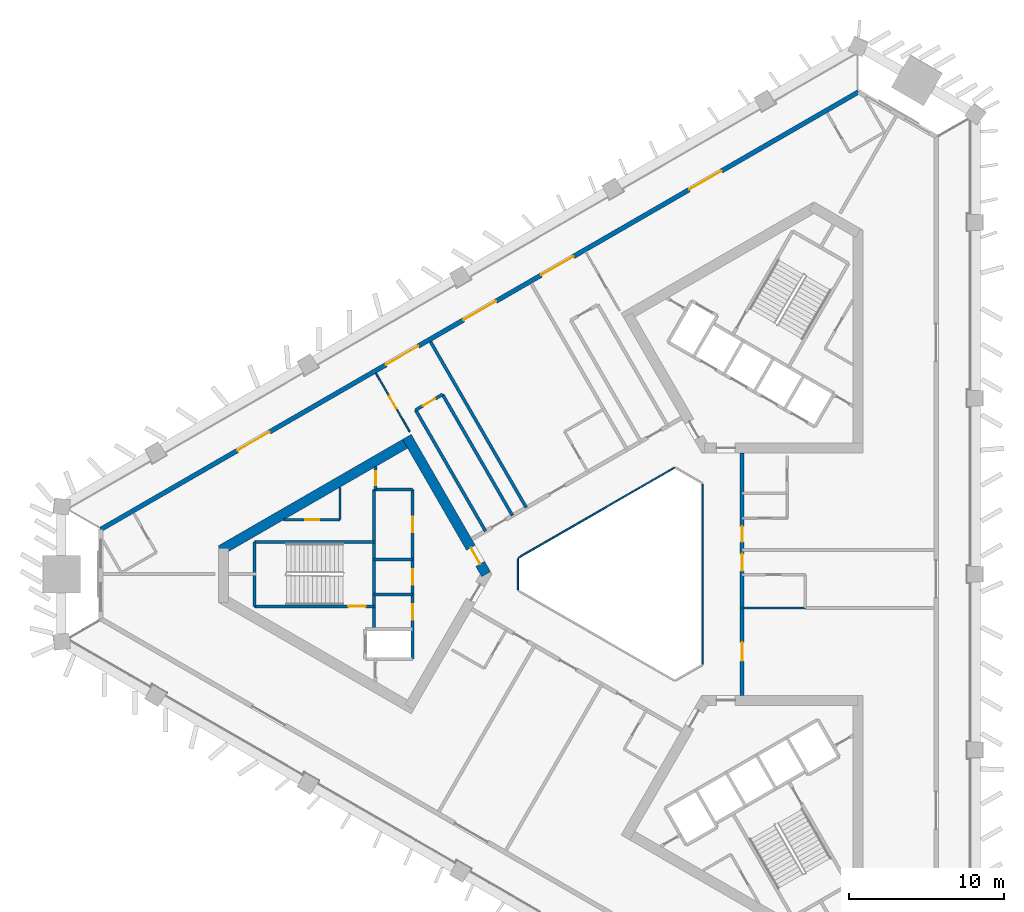
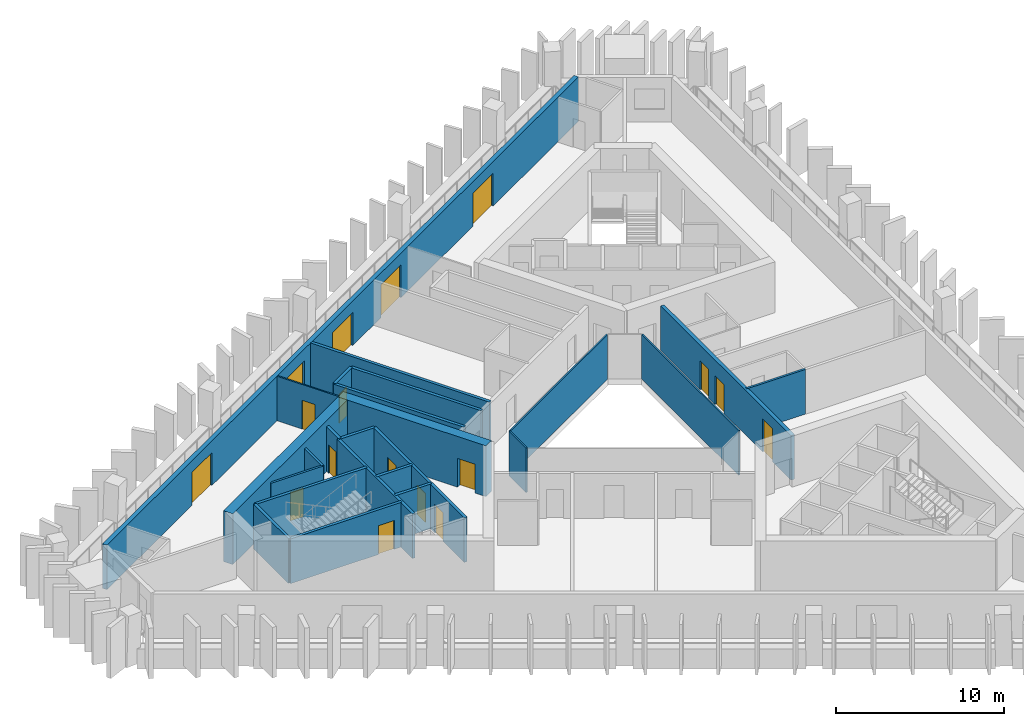
# One storey, part 4 of 10: 24 walls, 17 doors, 17 openings.
"""IFC4 building model written with IfcOpenShell, lengths in metres."""

from ifc_helpers import new_model, si_unit, direction, frame, frame_2d, origin, place, context, subcontext, project, spatial, rectangle, extrude, material, layer, layer_set, type_object, element, fill, save


model = new_model("IFC4")

# Units and contexts
model_context = context("Model", 3, precision=1e-05, world=origin(), true_north=direction((0.0, 1.0)))
body_context = subcontext(model_context, "Body", "Model", "MODEL_VIEW")
ifc_project = project(units=[si_unit("LENGTHUNIT", "METRE"), si_unit("AREAUNIT", "SQUARE_METRE"), si_unit("VOLUMEUNIT", "CUBIC_METRE"), si_unit("PLANEANGLEUNIT", "RADIAN"), si_unit("MASSUNIT", "GRAM", prefix="KILO")], contexts=[model_context])

# Site, building, storey
site_placement = place(None, origin())
site = spatial("IfcSite", under=ifc_project, at=site_placement, CompositionType="ELEMENT")
building_placement = place(site_placement, origin())
building = spatial("IfcBuilding", under=site, at=building_placement, Name="Jabali Bay Hotel Tower and Convention Centre", CompositionType="ELEMENT")
storey_placement = place(building_placement, frame((0.0, 0.0, 125.300048828125)))
storey = spatial("IfcBuildingStorey", under=building, at=storey_placement, Name="L30", CompositionType="ELEMENT", Elevation=125.300048828125)

# Walls
ifc_material_1 = material(Name="Fire-resistant glazing", Category="glass")
ifc_layer_1 = layer(ifc_material_1, 0.10009765625)
ifc_layer_set_1 = layer_set([ifc_layer_1], Name="Fire-resistant glazing")
wall_type_1 = type_object("IfcWallType", Name="Atrium glazed screen 100", PredefinedType="PARTITIONING", material=ifc_layer_set_1)
for number, where, z_axis, x_axis, name in (
    (1, (79.56005859375, 74.205810546875, 0.0), (0.0, 0.0, 1.0), (0.0, 1.0, 0.0), "Atrium screen 1 L30"),
    (2, (77.738037109375, 86.84619140625, 0.0), (0.0, 0.0, 1.0), (-0.866026658274, -0.499997827154, 0.0), "Atrium screen 3 L30"),
):
    element("IfcWall", number, at=place(storey_placement, frame(where, z_axis=z_axis, x_axis=x_axis)), inside=storey, type_object=wall_type_1, Name=name, PredefinedType="PARTITIONING", context=body_context, shape_type="SweptSolid", body=[
        extrude(rectangle(XDim=11.58837890625, YDim=0.10009765625, at=frame_2d((5.794189453125, 0.0))), origin(), (0.0, 0.0, 1.0), 3.25),
    ])
wall_1_placement = place(storey_placement, frame((67.672119140625, 81.0, 0.0), z_axis=(0.0, 0.0, 1.0), x_axis=(0.0, -1.0, 0.0)))
element("IfcWall", 3, at=wall_1_placement, inside=storey, type_object=wall_type_1, Name="Atrium screen 4 L30", PredefinedType="PARTITIONING", context=body_context, shape_type="SweptSolid", body=[
    extrude(rectangle(XDim=2.0, YDim=0.10009765625, at=frame_2d((1.0, 0.0))), origin(), (0.0, 0.0, 1.0), 3.25),
])

# Wall, opening, door
ifc_material_2 = material(Name="Concrete C40", Category="concrete")
ifc_layer_2 = layer(ifc_material_2, 0.199951171875)
ifc_layer_set_2 = layer_set([ifc_layer_2], Name="Concrete C40")
wall_type_2 = type_object("IfcWallType", Name="Core partition wall 200", PredefinedType="PARTITIONING", material=ifc_layer_set_2)
wall_2_placement = place(storey_placement, frame((58.52001953125, 86.916748046875, 0.0), z_axis=(0.0, 0.0, 1.0), x_axis=(0.0, -1.0, 0.0)))
wall_2 = element("IfcWall", 4, at=wall_2_placement, inside=storey, type_object=wall_type_2, Name="Core wall 0.10 L30", PredefinedType="PARTITIONING", context=body_context, shape_type="SweptSolid", body=[
    extrude(rectangle(XDim=1.466796875, YDim=0.199951171875, at=frame_2d((0.7333984375, 0.0))), origin(), (0.0, 0.0, 1.0), 3.25),
])
opening_1_placement = place(wall_2_placement, frame((0.283447265625, 0.0, 0.0)))
opening_1 = element("IfcOpeningElement", 5, at=opening_1_placement, cuts=wall_2, Name="Opening D665", PredefinedType="OPENING", context=body_context, shape_type="SweptSolid", body=[
    extrude(rectangle(XDim=0.89990234375, YDim=2.10009765625, at=frame_2d((0.449951171875, 1.050048828125))), frame((0.0, 0.1103515625, 0.0), z_axis=(0.0, -1.0, 0.0), x_axis=(1.0, 0.0, 0.0)), (0.0, 0.0, 1.0), 0.220947265625),
])
ifc_material_3 = material(Name="Fire-rated steel door", Category="steel")
door_type_1 = type_object("IfcDoorType", Name="Vestibule fire door 900 x 2100", OperationType="NOTDEFINED", PredefinedType="NOTDEFINED", material=ifc_material_3)
door_1_placement = place(opening_1_placement, origin())
door_1 = element("IfcDoor", 6, at=door_1_placement, inside=storey, type_object=door_type_1, Name="Vestibule fire door D665", OperationType="SINGLE_SWING_LEFT", OverallHeight=2.10009765625, OverallWidth=0.89990234375, PredefinedType="NOTDEFINED", context=body_context, shape_type="SweptSolid", body=[
    extrude(rectangle(XDim=0.89990234375, YDim=2.10009765625, at=frame_2d((0.449951171875, 1.050048828125))), frame((0.0, 0.02490234375, 0.0), z_axis=(0.0, -1.0, 0.0), x_axis=(1.0, 0.0, 0.0)), (0.0, 0.0, 1.0), 0.050048828125),
])
fill(opening_1, door_1)

ifc_material_4 = material(Name="Fire-rated board partition")
ifc_layer_3 = layer(ifc_material_4, 0.14990234375)
ifc_layer_set_3 = layer_set([ifc_layer_3], Name="Fire-rated board partition")
wall_type_3 = type_object("IfcWallType", Name="Core room partition 150", PredefinedType="PARTITIONING", material=ifc_layer_set_3)
wall_3_placement = place(storey_placement, frame((56.219970703125, 83.5, 0.0), z_axis=(0.0, 0.0, 1.0), x_axis=(-1.0, 0.0, 0.0)))
wall_3 = element("IfcWall", 7, at=wall_3_placement, inside=storey, type_object=wall_type_3, Name="Core wall 0.1 L30", PredefinedType="PARTITIONING", context=body_context, shape_type="SweptSolid", body=[
    extrude(rectangle(XDim=3.61767578125, YDim=0.14990234375, at=frame_2d((1.808837890625, 0.0))), origin(), (0.0, 0.0, 1.0), 3.25),
])
opening_2_placement = place(wall_3_placement, frame((1.33154296875, 0.0, 0.0)))
opening_2 = element("IfcOpeningElement", 8, at=opening_2_placement, cuts=wall_3, Name="Opening D667", PredefinedType="OPENING", context=body_context, shape_type="SweptSolid", body=[
    extrude(rectangle(XDim=0.89990234375, YDim=2.10009765625, at=frame_2d((0.449951171875, 1.050048828125))), frame((0.0, 0.08544921875, 0.0), z_axis=(0.0, -1.0, 0.0), x_axis=(1.0, 0.0, 0.0)), (0.0, 0.0, 1.0), 0.1708984375),
])
door_type_2 = type_object("IfcDoorType", Name="Core room door 900 x 2100", OperationType="NOTDEFINED", PredefinedType="NOTDEFINED", material=ifc_material_3)
door_2_placement = place(opening_2_placement, origin())
door_2 = element("IfcDoor", 9, at=door_2_placement, inside=storey, type_object=door_type_2, Name="Core room door D667", OperationType="SINGLE_SWING_LEFT", OverallHeight=2.10009765625, OverallWidth=0.89990234375, PredefinedType="NOTDEFINED", context=body_context, shape_type="SweptSolid", body=[
    extrude(rectangle(XDim=0.89990234375, YDim=2.10009765625, at=frame_2d((0.449951171875, 1.050048828125))), frame((0.0, 0.02490234375, 0.0), z_axis=(0.0, -1.0, 0.0), x_axis=(1.0, 0.0, 0.0)), (0.0, 0.0, 1.0), 0.050048828125),
])
fill(opening_2, door_2)

# Walls
wall_4_placement = place(storey_placement, frame((56.219970703125, 85.5888671875, 0.0), z_axis=(0.0, 0.0, 1.0), x_axis=(0.0, -1.0, 0.0)))
element("IfcWall", 10, at=wall_4_placement, inside=storey, type_object=wall_type_3, Name="Core wall 0.14 L30", PredefinedType="PARTITIONING", context=body_context, shape_type="SweptSolid", body=[
    extrude(rectangle(XDim=2.0888671875, YDim=0.14990234375, at=frame_2d((1.04443359375, 0.0))), origin(), (0.0, 0.0, 1.0), 3.25),
])
ifc_layer_4 = layer(ifc_material_2, 0.199951171875)
ifc_layer_set_4 = layer_set([ifc_layer_4], Name="Concrete C40")
wall_type_4 = type_object("IfcWallType", Name="Core stair wall 200", PredefinedType="SOLIDWALL", material=ifc_layer_set_4)
wall_5_placement = place(storey_placement, frame((60.89990234375, 85.449951171875, 0.0), z_axis=(0.0, 0.0, 1.0), x_axis=(-1.0, 0.0, 0.0)))
element("IfcWall", 11, at=wall_5_placement, inside=storey, type_object=wall_type_4, Name="Core wall 0.0 L30", PredefinedType="SOLIDWALL", context=body_context, shape_type="SweptSolid", body=[
    extrude(rectangle(XDim=2.47998046875, YDim=0.199951171875, at=frame_2d((1.239990234375, 0.0))), origin(), (0.0, 0.0, 1.0), 3.25),
])
wall_6_placement = place(storey_placement, frame((58.419921875, 82.074951171875, 0.0), z_axis=(0.0, 0.0, 1.0), x_axis=(-1.0, 0.0, 0.0)))
element("IfcWall", 12, at=wall_6_placement, inside=storey, type_object=wall_type_4, Name="Core wall 0.2 L30", PredefinedType="SOLIDWALL", context=body_context, shape_type="SweptSolid", body=[
    extrude(rectangle(XDim=7.699951171875, YDim=0.199951171875, at=frame_2d((3.85009765625, 0.0))), origin(), (0.0, 0.0, 1.0), 3.25),
])
for number, where, z_axis, x_axis, name in (
    (13, (60.89990234375, 80.949951171875, 0.0), (0.0, 0.0, 1.0), (-1.0, 0.0, 0.0), "Core wall 0.3 L30"),
    (14, (60.89990234375, 78.699951171875, 0.0), (0.0, 0.0, 1.0), (-1.0, 0.0, 0.0), "Core wall 0.5 L30"),
):
    element("IfcWall", number, at=place(storey_placement, frame(where, z_axis=z_axis, x_axis=x_axis)), inside=storey, type_object=wall_type_4, Name=name, PredefinedType="SOLIDWALL", context=body_context, shape_type="SweptSolid", body=[
        extrude(rectangle(XDim=2.47998046875, YDim=0.199951171875, at=frame_2d((1.239990234375, 0.0))), origin(), (0.0, 0.0, 1.0), 3.25),
    ])

# Wall, opening, door
wall_7_placement = place(storey_placement, frame((58.419921875, 77.925048828125, 0.0), z_axis=(0.0, 0.0, 1.0), x_axis=(-1.0, 0.0, 0.0)))
wall_7 = element("IfcWall", 15, at=wall_7_placement, inside=storey, type_object=wall_type_4, Name="Core wall 0.6 L30", PredefinedType="SOLIDWALL", context=body_context, shape_type="SweptSolid", body=[
    extrude(rectangle(XDim=7.699951171875, YDim=0.199951171875, at=frame_2d((3.85009765625, 0.0))), origin(), (0.0, 0.0, 1.0), 3.25),
])
opening_3_placement = place(wall_7_placement, frame((0.550048828125, 0.0, 0.0)))
opening_3 = element("IfcOpeningElement", 16, at=opening_3_placement, cuts=wall_7, Name="Opening D666", PredefinedType="OPENING", context=body_context, shape_type="SweptSolid", body=[
    extrude(rectangle(XDim=1.10009765625, YDim=2.10009765625, at=frame_2d((0.550048828125, 1.050048828125))), frame((0.0, 0.1103515625, 0.0), z_axis=(0.0, -1.0, 0.0), x_axis=(1.0, 0.0, 0.0)), (0.0, 0.0, 1.0), 0.220947265625),
])
door_type_3 = type_object("IfcDoorType", Name="Stair fire door 1100 x 2100", OperationType="NOTDEFINED", PredefinedType="NOTDEFINED", material=ifc_material_3)
door_3_placement = place(opening_3_placement, origin())
door_3 = element("IfcDoor", 17, at=door_3_placement, inside=storey, type_object=door_type_3, Name="Stair fire door D666", OperationType="SINGLE_SWING_RIGHT", OverallHeight=2.10009765625, OverallWidth=1.10009765625, PredefinedType="NOTDEFINED", context=body_context, shape_type="SweptSolid", body=[
    extrude(rectangle(XDim=1.10009765625, YDim=2.10009765625, at=frame_2d((0.550048828125, 1.050048828125))), frame((0.0, 0.02490234375, 0.0), z_axis=(0.0, -1.0, 0.0), x_axis=(1.0, 0.0, 0.0)), (0.0, 0.0, 1.0), 0.050048828125),
])
fill(opening_3, door_3)

# Wall, openings, doors
wall_8_placement = place(storey_placement, frame((60.89990234375, 85.449951171875, 0.0), z_axis=(0.0, 0.0, 1.0), x_axis=(0.0, -1.0, 0.0)))
wall_8 = element("IfcWall", 18, at=wall_8_placement, inside=storey, type_object=wall_type_4, Name="Core wall 0.9 L30", PredefinedType="SOLIDWALL", context=body_context, shape_type="SweptSolid", body=[
    extrude(rectangle(XDim=10.89990234375, YDim=0.199951171875, at=frame_2d((5.449951171875, 0.0))), origin(), (0.0, 0.0, 1.0), 3.25),
])
opening_4_placement = place(wall_8_placement, frame((1.75, 0.0, 0.0)))
opening_4 = element("IfcOpeningElement", 19, at=opening_4_placement, cuts=wall_8, Name="Opening D661", PredefinedType="OPENING", context=body_context, shape_type="SweptSolid", body=[
    extrude(rectangle(XDim=1.0, YDim=2.10009765625, at=frame_2d((0.5, 1.050048828125))), frame((0.0, 0.1103515625, 0.0), z_axis=(0.0, -1.0, 0.0), x_axis=(1.0, 0.0, 0.0)), (0.0, 0.0, 1.0), 0.220947265625),
])
opening_5_placement = place(wall_8_placement, frame((5.125, 0.0, 0.0)))
opening_5 = element("IfcOpeningElement", 20, at=opening_5_placement, cuts=wall_8, Name="Opening D662", PredefinedType="OPENING", context=body_context, shape_type="SweptSolid", body=[
    extrude(rectangle(XDim=1.0, YDim=2.10009765625, at=frame_2d((0.5, 1.050048828125))), frame((0.0, 0.1103515625, 0.0), z_axis=(0.0, -1.0, 0.0), x_axis=(1.0, 0.0, 0.0)), (0.0, 0.0, 1.0), 0.220947265625),
])
opening_6_placement = place(wall_8_placement, frame((7.375, 0.0, 0.0)))
opening_6 = element("IfcOpeningElement", 21, at=opening_6_placement, cuts=wall_8, Name="Opening D663", PredefinedType="OPENING", context=body_context, shape_type="SweptSolid", body=[
    extrude(rectangle(XDim=1.0, YDim=2.10009765625, at=frame_2d((0.5, 1.050048828125))), frame((0.0, 0.1103515625, 0.0), z_axis=(0.0, -1.0, 0.0), x_axis=(1.0, 0.0, 0.0)), (0.0, 0.0, 1.0), 0.220947265625),
])
door_type_4 = type_object("IfcDoorType", Name="Core room door 1000 x 2100", OperationType="NOTDEFINED", PredefinedType="NOTDEFINED", material=ifc_material_3)
door_4_placement = place(opening_4_placement, origin())
door_4 = element("IfcDoor", 22, at=door_4_placement, inside=storey, type_object=door_type_4, Name="Core room door D661", OperationType="SINGLE_SWING_RIGHT", OverallHeight=2.10009765625, OverallWidth=1.0, PredefinedType="NOTDEFINED", context=body_context, shape_type="SweptSolid", body=[
    extrude(rectangle(XDim=1.0, YDim=2.10009765625, at=frame_2d((0.5, 1.050048828125))), frame((0.0, 0.02490234375, 0.0), z_axis=(0.0, -1.0, 0.0), x_axis=(1.0, 0.0, 0.0)), (0.0, 0.0, 1.0), 0.050048828125),
])
fill(opening_4, door_4)
door_5_placement = place(opening_5_placement, origin())
door_5 = element("IfcDoor", 23, at=door_5_placement, inside=storey, type_object=door_type_4, Name="Core room door D662", OperationType="SINGLE_SWING_RIGHT", OverallHeight=2.10009765625, OverallWidth=1.0, PredefinedType="NOTDEFINED", context=body_context, shape_type="SweptSolid", body=[
    extrude(rectangle(XDim=1.0, YDim=2.10009765625, at=frame_2d((0.5, 1.050048828125))), frame((0.0, 0.02490234375, 0.0), z_axis=(0.0, -1.0, 0.0), x_axis=(1.0, 0.0, 0.0)), (0.0, 0.0, 1.0), 0.050048828125),
])
fill(opening_5, door_5)
door_6_placement = place(opening_6_placement, origin())
door_6 = element("IfcDoor", 24, at=door_6_placement, inside=storey, type_object=door_type_4, Name="Core room door D663", OperationType="SINGLE_SWING_RIGHT", OverallHeight=2.10009765625, OverallWidth=1.0, PredefinedType="NOTDEFINED", context=body_context, shape_type="SweptSolid", body=[
    extrude(rectangle(XDim=1.0, YDim=2.10009765625, at=frame_2d((0.5, 1.050048828125))), frame((0.0, 0.02490234375, 0.0), z_axis=(0.0, -1.0, 0.0), x_axis=(1.0, 0.0, 0.0)), (0.0, 0.0, 1.0), 0.050048828125),
])
fill(opening_6, door_6)

# Walls
wall_9_placement = place(storey_placement, frame((58.419921875, 85.449951171875, 0.0), z_axis=(0.0, 0.0, 1.0), x_axis=(0.0, -1.0, 0.0)))
element("IfcWall", 25, at=wall_9_placement, inside=storey, type_object=wall_type_4, Name="Core wall 0.12 L30", PredefinedType="SOLIDWALL", context=body_context, shape_type="SweptSolid", body=[
    extrude(rectangle(XDim=9.0, YDim=0.199951171875, at=frame_2d((4.5, 0.0))), origin(), (0.0, 0.0, 1.0), 3.25),
])
wall_10_placement = place(storey_placement, frame((50.719970703125, 82.074951171875, 0.0), z_axis=(0.0, 0.0, 1.0), x_axis=(0.0, -1.0, 0.0)))
element("IfcWall", 26, at=wall_10_placement, inside=storey, type_object=wall_type_4, Name="Core wall 0.15 L30", PredefinedType="SOLIDWALL", context=body_context, shape_type="SweptSolid", body=[
    extrude(rectangle(XDim=4.14990234375, YDim=0.199951171875, at=frame_2d((2.074951171875, 0.0))), origin(), (0.0, 0.0, 1.0), 3.25),
])

# Wall, opening, door
ifc_material_5 = material(Name="Concrete C60", Category="concrete")
ifc_layer_5 = layer(ifc_material_5, 0.64990234375)
ifc_layer_set_5 = layer_set([ifc_layer_5], Name="Concrete C60")
wall_type_5 = type_object("IfcWallType", Name="Core wall 650", PredefinedType="SHEAR", material=ifc_layer_set_5)
wall_11_placement = place(storey_placement, frame((65.624755859375, 80.0, 0.0), z_axis=(0.0, 0.0, 1.0), x_axis=(-0.49999822179, 0.866026430432, 0.0)))
wall_11 = element("IfcWall", 27, at=wall_11_placement, inside=storey, type_object=wall_type_5, Name="Core wall 1.1 L30", PredefinedType="SHEAR", context=body_context, shape_type="SweptSolid", body=[
    extrude(rectangle(XDim=10.1923828125, YDim=0.64990234375, at=frame_2d((5.09619140625, 0.0))), origin(), (0.0, 0.0, 1.0), 3.699951171875),
])
opening_7_placement = place(wall_11_placement, frame((0.762451171875, 0.0, 0.0)))
opening_7 = element("IfcOpeningElement", 28, at=opening_7_placement, cuts=wall_11, Name="Opening D659", PredefinedType="OPENING", context=body_context, shape_type="SweptSolid", body=[
    extrude(rectangle(XDim=1.199951171875, YDim=2.10009765625, at=frame_2d((0.60009765625, 1.050048828125))), frame((0.0, 0.33544921875, 0.0), z_axis=(0.0, -1.0, 0.0), x_axis=(1.0, 0.0, 0.0)), (0.0, 0.0, 1.0), 0.6708984375),
])
door_type_5 = type_object("IfcDoorType", Name="Corridor end fire door 1200 x 2100", OperationType="NOTDEFINED", PredefinedType="NOTDEFINED", material=ifc_material_3)
door_7_placement = place(opening_7_placement, origin())
door_7 = element("IfcDoor", 29, at=door_7_placement, inside=storey, type_object=door_type_5, Name="Corridor end fire door D659", OperationType="SINGLE_SWING_RIGHT", OverallHeight=2.10009765625, OverallWidth=1.199951171875, PredefinedType="NOTDEFINED", context=body_context, shape_type="SweptSolid", body=[
    extrude(rectangle(XDim=1.199951171875, YDim=2.10009765625, at=frame_2d((0.60009765625, 1.050048828125))), frame((0.0, 0.02490234375, 0.0), z_axis=(0.0, -1.0, 0.0), x_axis=(1.0, 0.0, 0.0)), (0.0, 0.0, 1.0), 0.050048828125),
])
fill(opening_7, door_7)

# Wall
wall_12_placement = place(storey_placement, frame((60.691162109375, 88.54541015625, 0.0), z_axis=(0.0, 0.0, 1.0), x_axis=(-0.866030607649, -0.499990986534, 0.0)))
element("IfcWall", 30, at=wall_12_placement, inside=storey, type_object=wall_type_5, Name="Core wall 1.2 L30", PredefinedType="SHEAR", context=body_context, shape_type="SweptSolid", body=[
    extrude(rectangle(XDim=14.008544921875, YDim=0.64990234375, at=frame_2d((7.00439453125, 0.0))), origin(), (0.0, 0.0, 1.0), 3.699951171875),
])

# Wall, openings, doors
ifc_layer_6 = layer(ifc_material_5, 0.25)
ifc_layer_set_6 = layer_set([ifc_layer_6], Name="Concrete C60")
wall_type_6 = type_object("IfcWallType", Name="Corridor wall 250", PredefinedType="SHEAR", material=ifc_layer_set_6)
wall_13_placement = place(storey_placement, frame((82.10009765625, 72.205810546875, 0.0), z_axis=(0.0, 0.0, 1.0), x_axis=(0.0, 1.0, 0.0)))
wall_13 = element("IfcWall", 31, at=wall_13_placement, inside=storey, type_object=wall_type_6, Name="Corridor wall 1 L30", PredefinedType="SHEAR", context=body_context, shape_type="SweptSolid", body=[
    extrude(rectangle(XDim=15.58837890625, YDim=0.25, at=frame_2d((7.794189453125, 0.0))), origin(), (0.0, 0.0, 1.0), 3.25),
])
opening_8_placement = place(wall_13_placement, frame((2.205810546875, 0.0, 0.0)))
opening_8 = element("IfcOpeningElement", 32, at=opening_8_placement, cuts=wall_13, Name="Opening 3001", PredefinedType="OPENING", context=body_context, shape_type="SweptSolid", body=[
    extrude(rectangle(XDim=1.199951171875, YDim=2.39990234375, at=frame_2d((0.60009765625, 1.199951171875))), frame((0.0, 0.135498046875, 0.0), z_axis=(0.0, -1.0, 0.0), x_axis=(1.0, 0.0, 0.0)), (0.0, 0.0, 1.0), 0.27099609375),
])
opening_9_placement = place(wall_13_placement, frame((8.003173828125, 0.0, 0.0)))
opening_9 = element("IfcOpeningElement", 33, at=opening_9_placement, cuts=wall_13, Name="Opening 3003", PredefinedType="OPENING", context=body_context, shape_type="SweptSolid", body=[
    extrude(rectangle(XDim=1.10009765625, YDim=2.10009765625, at=frame_2d((0.550048828125, 1.050048828125))), frame((0.0, 0.135498046875, 0.0), z_axis=(0.0, -1.0, 0.0), x_axis=(1.0, 0.0, 0.0)), (0.0, 0.0, 1.0), 0.27099609375),
])
opening_10_placement = place(wall_13_placement, frame((9.870849609375, 0.0, 0.0)))
opening_10 = element("IfcOpeningElement", 34, at=opening_10_placement, cuts=wall_13, Name="Opening 3006", PredefinedType="OPENING", context=body_context, shape_type="SweptSolid", body=[
    extrude(rectangle(XDim=1.0, YDim=2.10009765625, at=frame_2d((0.5, 1.050048828125))), frame((0.0, 0.135498046875, 0.0), z_axis=(0.0, -1.0, 0.0), x_axis=(1.0, 0.0, 0.0)), (0.0, 0.0, 1.0), 0.27099609375),
])
ifc_material_6 = material(Name="Timber", Category="wood")
door_type_6 = type_object("IfcDoorType", Name="Accessible guest room door 1100 x 2100", OperationType="NOTDEFINED", PredefinedType="NOTDEFINED", material=ifc_material_6)
door_8_placement = place(opening_9_placement, origin())
door_8 = element("IfcDoor", 35, at=door_8_placement, inside=storey, type_object=door_type_6, Name="Door 3003", OperationType="SINGLE_SWING_RIGHT", OverallHeight=2.10009765625, OverallWidth=1.10009765625, PredefinedType="NOTDEFINED", context=body_context, shape_type="SweptSolid", body=[
    extrude(rectangle(XDim=1.10009765625, YDim=2.10009765625, at=frame_2d((0.550048828125, 1.050048828125))), frame((0.0, 0.02490234375, 0.0), z_axis=(0.0, -1.0, 0.0), x_axis=(1.0, 0.0, 0.0)), (0.0, 0.0, 1.0), 0.050048828125),
])
fill(opening_9, door_8)
door_type_7 = type_object("IfcDoorType", Name="Guest room door 1000 x 2100", OperationType="NOTDEFINED", PredefinedType="NOTDEFINED", material=ifc_material_6)
door_9_placement = place(opening_10_placement, origin())
door_9 = element("IfcDoor", 36, at=door_9_placement, inside=storey, type_object=door_type_7, Name="Door 3006", OperationType="SINGLE_SWING_RIGHT", OverallHeight=2.10009765625, OverallWidth=1.0, PredefinedType="NOTDEFINED", context=body_context, shape_type="SweptSolid", body=[
    extrude(rectangle(XDim=1.0, YDim=2.10009765625, at=frame_2d((0.5, 1.050048828125))), frame((0.0, 0.02490234375, 0.0), z_axis=(0.0, -1.0, 0.0), x_axis=(1.0, 0.0, 0.0)), (0.0, 0.0, 1.0), 0.050048828125),
])
fill(opening_10, door_9)
door_type_8 = type_object("IfcDoorType", Name="Public room door 1200 x 2400", OperationType="NOTDEFINED", PredefinedType="NOTDEFINED", material=ifc_material_6)
door_10_placement = place(opening_8_placement, origin())
door_10 = element("IfcDoor", 37, at=door_10_placement, inside=storey, type_object=door_type_8, Name="Door 3001", OperationType="SINGLE_SWING_LEFT", OverallHeight=2.39990234375, OverallWidth=1.199951171875, PredefinedType="NOTDEFINED", context=body_context, shape_type="SweptSolid", body=[
    extrude(rectangle(XDim=1.199951171875, YDim=2.39990234375, at=frame_2d((0.60009765625, 1.199951171875))), frame((0.0, 0.02490234375, 0.0), z_axis=(0.0, -1.0, 0.0), x_axis=(1.0, 0.0, 0.0)), (0.0, 0.0, 1.0), 0.050048828125),
])
fill(opening_8, door_10)

ifc_layer_7 = layer(ifc_material_2, 0.300048828125)
ifc_layer_set_7 = layer_set([ifc_layer_7], Name="Concrete C40")
wall_type_7 = type_object("IfcWallType", Name="External wall 300", PredefinedType="SOLIDWALL", material=ifc_layer_set_7)
wall_14_placement = place(storey_placement, frame((40.836181640625, 82.8798828125, 0.0), z_axis=(0.0, 0.0, 1.0), x_axis=(0.866024964069, 0.500000761609, 0.0)))
wall_14 = element("IfcWall", 38, at=wall_14_placement, inside=storey, type_object=wall_type_7, Name="External wall north-west face L30", PredefinedType="SOLIDWALL", context=body_context, shape_type="SweptSolid", body=[
    extrude(rectangle(XDim=56.29345703125, YDim=0.300048828125, at=frame_2d((28.146728515625, 0.0))), origin(), (0.0, 0.0, 1.0), 3.25),
])
opening_11_placement = place(wall_14_placement, frame((26.94677734375, 0.0, 0.0)))
opening_11 = element("IfcOpeningElement", 39, at=opening_11_placement, cuts=wall_14, Name="Opening SD1", PredefinedType="OPENING", context=body_context, shape_type="SweptSolid", body=[
    extrude(rectangle(XDim=2.39990234375, YDim=2.39990234375, at=frame_2d((1.199951171875, 1.199951171875))), frame((0.0, 0.16064453125, 0.0), z_axis=(0.0, -1.0, 0.0), x_axis=(1.0, 0.0, 0.0)), (0.0, 0.0, 1.0), 0.321044921875),
])
opening_12_placement = place(wall_14_placement, frame((32.71435546875, 0.0, 0.0)))
opening_12 = element("IfcOpeningElement", 40, at=opening_12_placement, cuts=wall_14, Name="Opening SD1", PredefinedType="OPENING", context=body_context, shape_type="SweptSolid", body=[
    extrude(rectangle(XDim=2.39990234375, YDim=2.39990234375, at=frame_2d((1.199951171875, 1.199951171875))), frame((0.0, 0.16064453125, 0.0), z_axis=(0.0, -1.0, 0.0), x_axis=(1.0, 0.0, 0.0)), (0.0, 0.0, 1.0), 0.321044921875),
])
opening_13_placement = place(wall_14_placement, frame((43.711181640625, 0.0, 0.0)))
opening_13 = element("IfcOpeningElement", 41, at=opening_13_placement, cuts=wall_14, Name="Opening SD1", PredefinedType="OPENING", context=body_context, shape_type="SweptSolid", body=[
    extrude(rectangle(XDim=2.39990234375, YDim=2.39990234375, at=frame_2d((1.199951171875, 1.199951171875))), frame((0.0, 0.16064453125, 0.0), z_axis=(0.0, -1.0, 0.0), x_axis=(1.0, 0.0, 0.0)), (0.0, 0.0, 1.0), 0.321044921875),
])
opening_14_placement = place(wall_14_placement, frame((21.178955078125, 0.0, 0.0)))
opening_14 = element("IfcOpeningElement", 42, at=opening_14_placement, cuts=wall_14, Name="Opening SD1", PredefinedType="OPENING", context=body_context, shape_type="SweptSolid", body=[
    extrude(rectangle(XDim=2.39990234375, YDim=2.39990234375, at=frame_2d((1.199951171875, 1.199951171875))), frame((0.0, 0.16064453125, 0.0), z_axis=(0.0, -1.0, 0.0), x_axis=(1.0, 0.0, 0.0)), (0.0, 0.0, 1.0), 0.321044921875),
])
opening_15_placement = place(wall_14_placement, frame((10.1435546875, 0.0, 0.0)))
opening_15 = element("IfcOpeningElement", 43, at=opening_15_placement, cuts=wall_14, Name="Opening SD1", PredefinedType="OPENING", context=body_context, shape_type="SweptSolid", body=[
    extrude(rectangle(XDim=2.39990234375, YDim=2.39990234375, at=frame_2d((1.199951171875, 1.199951171875))), frame((0.0, 0.16064453125, 0.0), z_axis=(0.0, -1.0, 0.0), x_axis=(1.0, 0.0, 0.0)), (0.0, 0.0, 1.0), 0.321044921875),
])
ifc_material_7 = material(Name="Glass", Category="glass")
door_type_9 = type_object("IfcDoorType", Name="Loggia sliding door 2400 x 2400", OperationType="NOTDEFINED", PredefinedType="NOTDEFINED", material=ifc_material_7)
door_11_placement = place(opening_11_placement, origin())
door_11 = element("IfcDoor", 44, at=door_11_placement, inside=storey, type_object=door_type_9, Name="Loggia sliding door 3006", OperationType="SLIDING_TO_LEFT", OverallHeight=2.39990234375, OverallWidth=2.39990234375, PredefinedType="NOTDEFINED", context=body_context, shape_type="SweptSolid", body=[
    extrude(rectangle(XDim=2.39990234375, YDim=2.39990234375, at=frame_2d((1.199951171875, 1.199951171875))), frame((0.0, 0.02490234375, 0.0), z_axis=(0.0, -1.0, 0.0), x_axis=(1.0, 0.0, 0.0)), (0.0, 0.0, 1.0), 0.050048828125),
])
fill(opening_11, door_11)
door_12_placement = place(opening_12_placement, origin())
door_12 = element("IfcDoor", 45, at=door_12_placement, inside=storey, type_object=door_type_9, Name="Loggia sliding door 3004", OperationType="SLIDING_TO_RIGHT", OverallHeight=2.39990234375, OverallWidth=2.39990234375, PredefinedType="NOTDEFINED", context=body_context, shape_type="SweptSolid", body=[
    extrude(rectangle(XDim=2.39990234375, YDim=2.39990234375, at=frame_2d((1.199951171875, 1.199951171875))), frame((0.0, 0.02490234375, 0.0), z_axis=(0.0, -1.0, 0.0), x_axis=(1.0, 0.0, 0.0)), (0.0, 0.0, 1.0), 0.050048828125),
])
fill(opening_12, door_12)
door_13_placement = place(opening_13_placement, origin())
door_13 = element("IfcDoor", 46, at=door_13_placement, inside=storey, type_object=door_type_9, Name="Loggia sliding door 3004", OperationType="SLIDING_TO_LEFT", OverallHeight=2.39990234375, OverallWidth=2.39990234375, PredefinedType="NOTDEFINED", context=body_context, shape_type="SweptSolid", body=[
    extrude(rectangle(XDim=2.39990234375, YDim=2.39990234375, at=frame_2d((1.199951171875, 1.199951171875))), frame((0.0, 0.02490234375, 0.0), z_axis=(0.0, -1.0, 0.0), x_axis=(1.0, 0.0, 0.0)), (0.0, 0.0, 1.0), 0.050048828125),
])
fill(opening_13, door_13)
door_14_placement = place(opening_14_placement, origin())
door_14 = element("IfcDoor", 47, at=door_14_placement, inside=storey, type_object=door_type_9, Name="Loggia sliding door 3007", OperationType="SLIDING_TO_RIGHT", OverallHeight=2.39990234375, OverallWidth=2.39990234375, PredefinedType="NOTDEFINED", context=body_context, shape_type="SweptSolid", body=[
    extrude(rectangle(XDim=2.39990234375, YDim=2.39990234375, at=frame_2d((1.199951171875, 1.199951171875))), frame((0.0, 0.02490234375, 0.0), z_axis=(0.0, -1.0, 0.0), x_axis=(1.0, 0.0, 0.0)), (0.0, 0.0, 1.0), 0.050048828125),
])
fill(opening_14, door_14)
door_15_placement = place(opening_15_placement, origin())
door_15 = element("IfcDoor", 48, at=door_15_placement, inside=storey, type_object=door_type_9, Name="Loggia sliding door 3007", OperationType="SLIDING_TO_LEFT", OverallHeight=2.39990234375, OverallWidth=2.39990234375, PredefinedType="NOTDEFINED", context=body_context, shape_type="SweptSolid", body=[
    extrude(rectangle(XDim=2.39990234375, YDim=2.39990234375, at=frame_2d((1.199951171875, 1.199951171875))), frame((0.0, 0.02490234375, 0.0), z_axis=(0.0, -1.0, 0.0), x_axis=(1.0, 0.0, 0.0)), (0.0, 0.0, 1.0), 0.050048828125),
])
fill(opening_15, door_15)

# Wall, opening, door
ifc_material_8 = material(Name="Plasterboard on steel stud", Category="steel")
ifc_layer_8 = layer(ifc_material_8, 0.10009765625)
ifc_layer_set_8 = layer_set([ifc_layer_8], Name="Plasterboard on steel stud")
wall_type_8 = type_object("IfcWallType", Name="Partition 100 unit", PredefinedType="PARTITIONING", material=ifc_layer_set_8)
wall_15_placement = place(storey_placement, frame((58.53662109375, 92.92724609375, 0.0), z_axis=(0.0, 0.0, 1.0), x_axis=(0.499955758317, -0.866050945225, 0.0)))
wall_15 = element("IfcWall", 49, at=wall_15_placement, inside=storey, type_object=wall_type_8, Name="Partition P02 L30 023", PredefinedType="PARTITIONING", context=body_context, shape_type="SweptSolid", body=[
    extrude(rectangle(XDim=4.34814453125, YDim=0.10009765625, at=frame_2d((2.174072265625, 0.0))), origin(), (0.0, 0.0, 1.0), 3.25),
])
opening_16_placement = place(wall_15_placement, frame((1.72412109375, 0.0, 0.0)))
opening_16 = element("IfcOpeningElement", 50, at=opening_16_placement, cuts=wall_15, Name="Opening 3014", PredefinedType="OPENING", context=body_context, shape_type="SweptSolid", body=[
    extrude(rectangle(XDim=0.89990234375, YDim=2.10009765625, at=frame_2d((0.449951171875, 1.050048828125))), frame((0.0, 0.060546875, 0.0), z_axis=(0.0, -1.0, 0.0), x_axis=(1.0, 0.0, 0.0)), (0.0, 0.0, 1.0), 0.12109375),
])
door_type_10 = type_object("IfcDoorType", Name="Internal door 900 x 2100", OperationType="NOTDEFINED", PredefinedType="NOTDEFINED", material=ifc_material_6)
door_16_placement = place(opening_16_placement, origin())
door_16 = element("IfcDoor", 51, at=door_16_placement, inside=storey, type_object=door_type_10, Name="Door 3014", OperationType="SINGLE_SWING_RIGHT", OverallHeight=2.10009765625, OverallWidth=0.89990234375, PredefinedType="NOTDEFINED", context=body_context, shape_type="SweptSolid", body=[
    extrude(rectangle(XDim=0.89990234375, YDim=2.10009765625, at=frame_2d((0.449951171875, 1.050048828125))), frame((0.0, 0.02490234375, 0.0), z_axis=(0.0, -1.0, 0.0), x_axis=(1.0, 0.0, 0.0)), (0.0, 0.0, 1.0), 0.050048828125),
])
fill(opening_16, door_16)

# Walls
ifc_layer_9 = layer(ifc_material_8, 0.14990234375)
ifc_layer_set_9 = layer_set([ifc_layer_9], Name="Plasterboard on steel stud")
wall_type_9 = type_object("IfcWallType", Name="Partition 150 wet", PredefinedType="PARTITIONING", material=ifc_layer_set_9)
wall_16_placement = place(storey_placement, frame((86.1630859375, 77.817626953125, 0.0), z_axis=(0.0, 0.0, 1.0), x_axis=(-1.0, 0.0, 0.0)))
element("IfcWall", 52, at=wall_16_placement, inside=storey, type_object=wall_type_9, Name="Partition P03 L30 002", PredefinedType="PARTITIONING", context=body_context, shape_type="SweptSolid", body=[
    extrude(rectangle(XDim=4.06298828125, YDim=0.14990234375, at=frame_2d((2.031494140625, 0.0))), origin(), (0.0, 0.0, 1.0), 3.25),
])
ifc_layer_10 = layer(ifc_material_8, 0.199951171875)
ifc_layer_set_10 = layer_set([ifc_layer_10], Name="Plasterboard on steel stud")
wall_type_10 = type_object("IfcWallType", Name="Partition 200 party", PredefinedType="PARTITIONING", material=ifc_layer_set_10)
wall_17_placement = place(storey_placement, frame((62.04638671875, 94.95361328125, 0.0), z_axis=(0.0, 0.0, 1.0), x_axis=(0.500003041772, -0.86602364761, 0.0)))
element("IfcWall", 53, at=wall_17_placement, inside=storey, type_object=wall_type_10, Name="Partition P01 L30 022", PredefinedType="PARTITIONING", context=body_context, shape_type="SweptSolid", body=[
    extrude(rectangle(XDim=12.3271484375, YDim=0.199951171875, at=frame_2d((6.16357421875, 0.0))), origin(), (0.0, 0.0, 1.0), 3.25),
])
wall_18_placement = place(storey_placement, frame((65.5888671875, 82.764892578125, 0.0), z_axis=(0.0, 0.0, 1.0), x_axis=(-0.5000018851, 0.866024315419, 0.0)))
element("IfcWall", 54, at=wall_18_placement, inside=storey, type_object=wall_type_10, Name="Partition P01 L30 024", PredefinedType="PARTITIONING", context=body_context, shape_type="SweptSolid", body=[
    extrude(rectangle(XDim=9.0, YDim=0.199951171875, at=frame_2d((4.5, 0.0))), origin(), (0.0, 0.0, 1.0), 3.25),
])

# Wall, opening, door
wall_19_placement = place(storey_placement, frame((61.0888671875, 90.55908203125, 0.0), z_axis=(0.0, 0.0, 1.0), x_axis=(0.866041268327, 0.499972520799, 0.0)))
wall_19 = element("IfcWall", 55, at=wall_19_placement, inside=storey, type_object=wall_type_10, Name="Partition P01 L30 025", PredefinedType="PARTITIONING", context=body_context, shape_type="SweptSolid", body=[
    extrude(rectangle(XDim=2.0, YDim=0.199951171875, at=frame_2d((1.0, 0.0))), origin(), (0.0, 0.0, 1.0), 3.25),
])
opening_17_placement = place(wall_19_placement, frame((0.550048828125, 0.0, 0.0)))
opening_17 = element("IfcOpeningElement", 56, at=opening_17_placement, cuts=wall_19, Name="Opening 3016", PredefinedType="OPENING", context=body_context, shape_type="SweptSolid", body=[
    extrude(rectangle(XDim=0.89990234375, YDim=2.10009765625, at=frame_2d((0.449951171875, 1.050048828125))), frame((0.0, 0.1103515625, 0.0), z_axis=(0.0, -1.0, 0.0), x_axis=(1.0, 0.0, 0.0)), (0.0, 0.0, 1.0), 0.220947265625),
])
door_17_placement = place(opening_17_placement, origin())
door_17 = element("IfcDoor", 57, at=door_17_placement, inside=storey, type_object=door_type_10, Name="Door 3016", OperationType="SINGLE_SWING_RIGHT", OverallHeight=2.10009765625, OverallWidth=0.89990234375, PredefinedType="NOTDEFINED", context=body_context, shape_type="SweptSolid", body=[
    extrude(rectangle(XDim=0.89990234375, YDim=2.10009765625, at=frame_2d((0.449951171875, 1.050048828125))), frame((0.0, 0.02490234375, 0.0), z_axis=(0.0, -1.0, 0.0), x_axis=(1.0, 0.0, 0.0)), (0.0, 0.0, 1.0), 0.050048828125),
])
fill(opening_17, door_17)

# Wall
wall_20_placement = place(storey_placement, frame((62.821044921875, 91.55908203125, 0.0), z_axis=(0.0, 0.0, 1.0), x_axis=(0.5000018851, -0.866024315419, 0.0)))
element("IfcWall", 58, at=wall_20_placement, inside=storey, type_object=wall_type_10, Name="Partition P01 L30 026", PredefinedType="PARTITIONING", context=body_context, shape_type="SweptSolid", body=[
    extrude(rectangle(XDim=9.0, YDim=0.199951171875, at=frame_2d((4.5, 0.0))), origin(), (0.0, 0.0, 1.0), 3.25),
])

save(model, "model.ifc")
